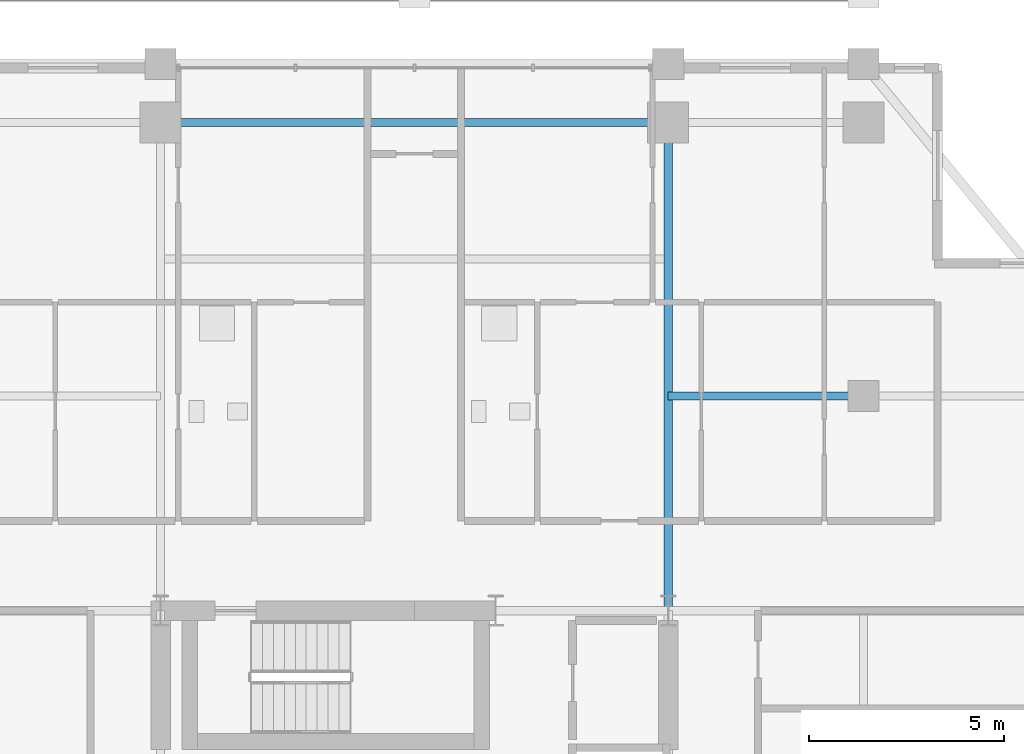
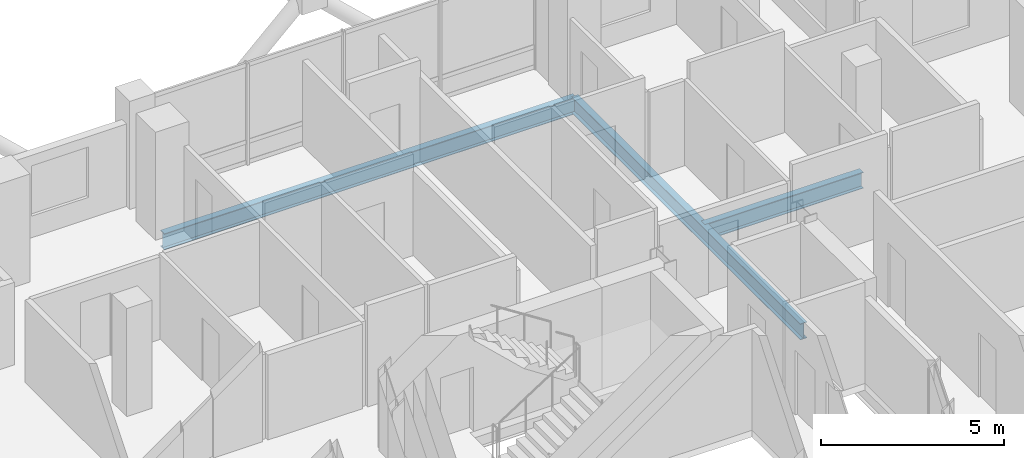
# One storey, part 14 of 24: 3 beams.
"""IFC4 building model written with IfcOpenShell, lengths in metres."""

from ifc_helpers import new_model, si_unit, direction, frame, origin, origin_2d, place, context, subcontext, project, spatial, i_section, extrude, material, material_profile, profile_set, type_object, element, save


model = new_model("IFC4")

# Units and contexts
model_context = context("Model", 3, precision=1e-05, world=origin(), true_north=direction((0.0, 1.0)))
body_context = subcontext(model_context, "Body", "Model", "MODEL_VIEW")
ifc_project = project(units=[si_unit("LENGTHUNIT", "METRE"), si_unit("AREAUNIT", "SQUARE_METRE"), si_unit("VOLUMEUNIT", "CUBIC_METRE"), si_unit("PLANEANGLEUNIT", "RADIAN"), si_unit("MASSUNIT", "GRAM", prefix="KILO")], contexts=[model_context])

# Site, building, storey
site_placement = place(None, origin())
site = spatial("IfcSite", under=ifc_project, at=site_placement, CompositionType="ELEMENT")
building_placement = place(site_placement, origin())
building = spatial("IfcBuilding", under=site, at=building_placement, Name="Barlavira Tower and Art Museum", CompositionType="ELEMENT")
storey_placement = place(building_placement, frame((0.0, 0.0, 183.60009765625)))
storey = spatial("IfcBuildingStorey", under=building, at=storey_placement, Name="L47", CompositionType="ELEMENT", Elevation=183.60009765625)

# Beams
ifc_material = material(Name="Steel S355", Category="steel")
ifc_material_profile = material_profile(ifc_material, i_section(OverallWidth=0.2109375, OverallDepth=0.5390625, WebThickness=0.01171875, FlangeThickness=0.018798828125, at=origin_2d()), Name="W530x109.0")
ifc_profile_set = profile_set([ifc_material_profile], Name="Steel S355")
beam_type = type_object("IfcBeamType", Name="Zone 3-4 Primary Floor Girder W530x109 Steel S355", PredefinedType="BEAM", material=ifc_profile_set)
beam_1_placement = place(storey_placement, frame((-6.5, 20.0, -0.489501953125), z_axis=(1.0, 0.0, 0.0), x_axis=(0.0, 1.0, 0.0)))
element("IfcBeam", 1, at=beam_1_placement, inside=storey, type_object=beam_type, Name="L47 Girder M-N2", PredefinedType="BEAM", context=body_context, shape_type="SweptSolid", body=[
    extrude(i_section(OverallWidth=0.2109375, OverallDepth=0.5390625, WebThickness=0.01171875, FlangeThickness=0.018798828125, at=origin_2d()), origin(), (0.0, 0.0, 1.0), 13.0),
])
beam_2_placement = place(storey_placement, frame((6.5, 7.5, -0.489501953125), z_axis=(0.0, 1.0, 0.0), x_axis=(-1.0, 0.0, 0.0)))
element("IfcBeam", 2, at=beam_2_placement, inside=storey, type_object=beam_type, Name="L47 Girder R-N2", PredefinedType="BEAM", context=body_context, shape_type="SweptSolid", body=[
    extrude(i_section(OverallWidth=0.2109375, OverallDepth=0.5390625, WebThickness=0.01171875, FlangeThickness=0.018798828125, at=origin_2d()), origin(), (0.0, 0.0, 1.0), 12.5),
])
beam_3_placement = place(storey_placement, frame((6.5, 13.0, -0.489501953125), z_axis=(1.0, 0.0, 0.0), x_axis=(0.0, 1.0, 0.0)))
element("IfcBeam", 3, at=beam_3_placement, inside=storey, type_object=beam_type, Name="L47 Girder I-N3", PredefinedType="BEAM", context=body_context, shape_type="SweptSolid", body=[
    extrude(i_section(OverallWidth=0.2109375, OverallDepth=0.5390625, WebThickness=0.01171875, FlangeThickness=0.018798828125, at=origin_2d()), origin(), (0.0, 0.0, 1.0), 5.0),
])

save(model, "model.ifc")
